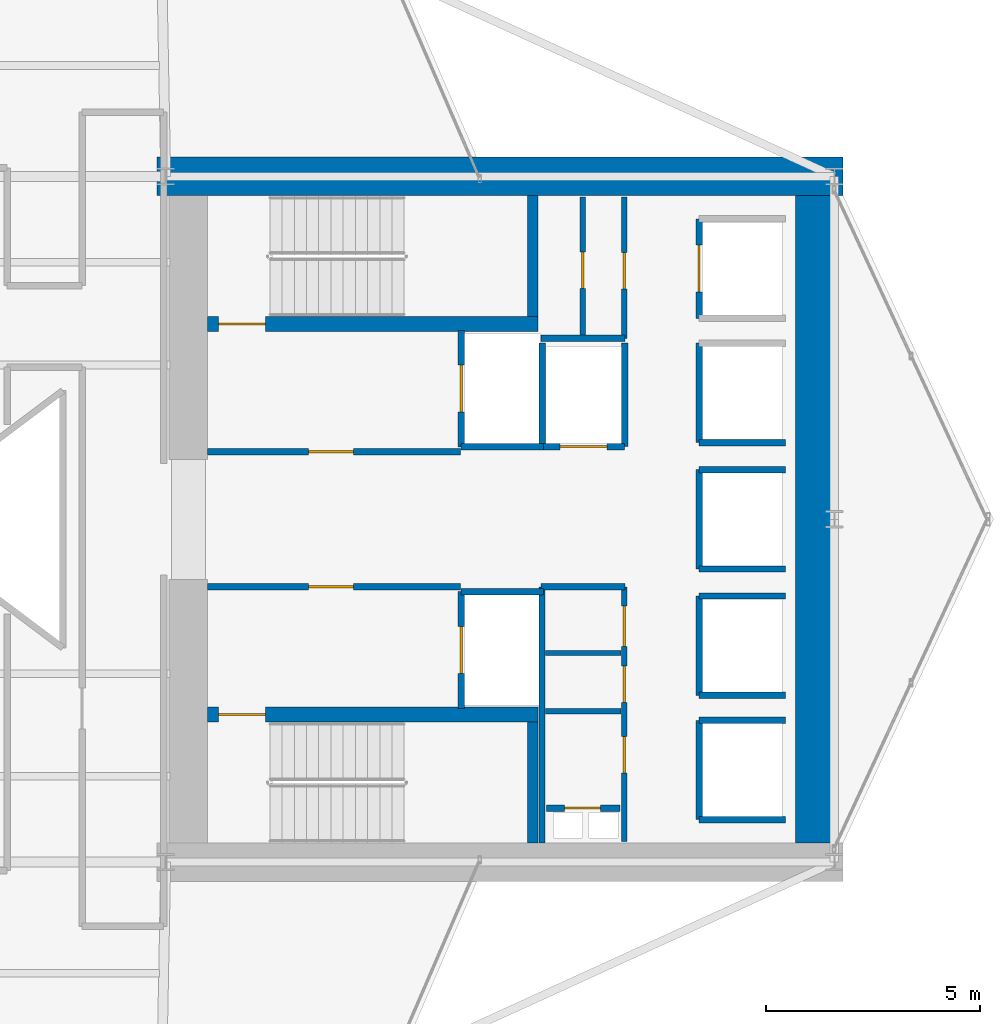
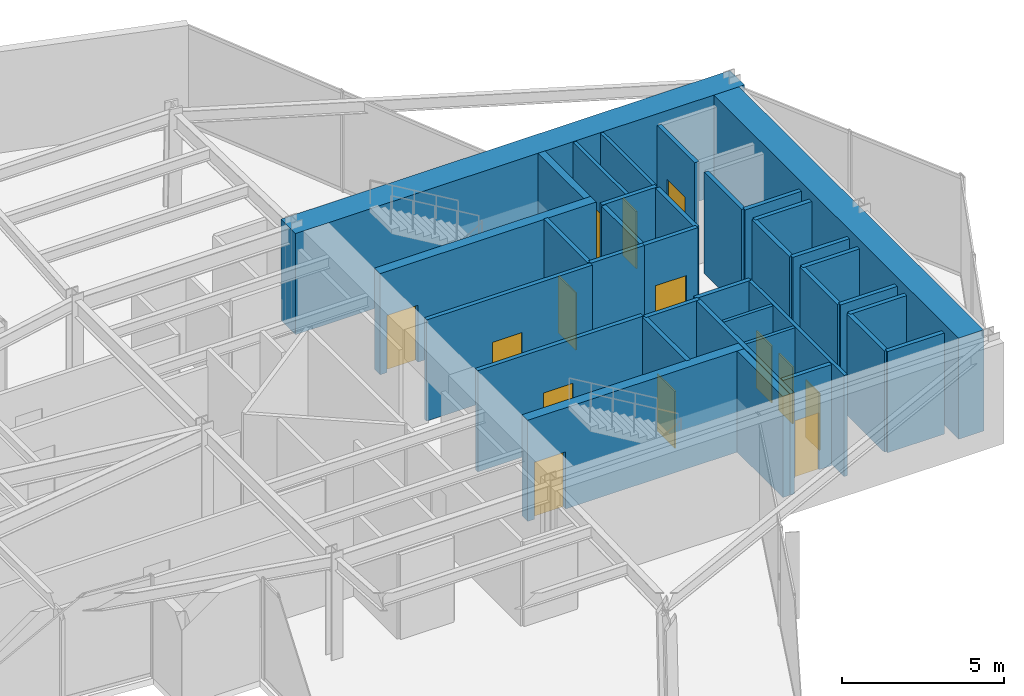
# One storey, part 23 of 26: 36 walls, 14 doors, 14 openings.
"""IFC4 building model written with IfcOpenShell, lengths in metres."""

from ifc_helpers import new_model, si_unit, direction, frame, frame_2d, origin, place, context, subcontext, project, spatial, rectangle, extrude, material, layer, layer_set, type_object, element, fill, save


model = new_model("IFC4")

# Units and contexts
model_context = context("Model", 3, precision=1e-05, world=origin(), true_north=direction((0.0, 1.0)))
body_context = subcontext(model_context, "Body", "Model", "MODEL_VIEW")
ifc_project = project(units=[si_unit("LENGTHUNIT", "METRE"), si_unit("AREAUNIT", "SQUARE_METRE"), si_unit("VOLUMEUNIT", "CUBIC_METRE"), si_unit("PLANEANGLEUNIT", "RADIAN"), si_unit("MASSUNIT", "GRAM", prefix="KILO")], contexts=[model_context])

# Site, building, storey
site_placement = place(None, origin())
site = spatial("IfcSite", under=ifc_project, at=site_placement, CompositionType="ELEMENT")
building_placement = place(site_placement, origin())
building = spatial("IfcBuilding", under=site, at=building_placement, Name="Veymaron Broadcast Tower", CompositionType="ELEMENT")
storey_placement = place(building_placement, frame((0.0, 0.0, 90.449951171875)))
storey = spatial("IfcBuildingStorey", under=building, at=storey_placement, Name="L20", CompositionType="ELEMENT", Elevation=90.449951171875)

# Wall, opening, door
ifc_material_1 = material(Name="Gypsum fireboard and steel stud framing", Category="steel")
ifc_layer_1 = layer(ifc_material_1, 0.14990234375)
ifc_layer_set_1 = layer_set([ifc_layer_1], Name="Gypsum fireboard and steel stud framing")
wall_type_1 = type_object("IfcWallType", Name="WALL-FIRE-150", PredefinedType="PARTITIONING", material=ifc_layer_set_1)
wall_1_placement = place(storey_placement, frame((39.97998046875, 25.574951171875, 0.0), z_axis=(0.0, 0.0, 1.0), x_axis=(1.0, 0.0, 0.0)))
wall_1 = element("IfcWall", 1, at=wall_1_placement, inside=storey, type_object=wall_type_1, Name="L20 partition IW-L20-FFLN-S", PredefinedType="PARTITIONING", context=body_context, shape_type="SweptSolid", body=[
    extrude(rectangle(XDim=5.89990234375, YDim=0.14990234375, at=frame_2d((2.949951171875, 0.0))), origin(), (0.0, 0.0, 1.0), 3.81005859375),
])
opening_1_placement = place(wall_1_placement, frame((2.35009765625, 0.0, 0.0)))
opening_1 = element("IfcOpeningElement", 2, at=opening_1_placement, cuts=wall_1, Name="Opening ID-FL1", PredefinedType="OPENING", context=body_context, shape_type="SweptSolid", body=[
    extrude(rectangle(XDim=1.050048828125, YDim=2.14990234375, at=frame_2d((0.52490234375, 1.074951171875))), frame((0.0, 0.0849609375, 0.0), z_axis=(0.0, -1.0, 0.0), x_axis=(1.0, 0.0, 0.0)), (0.0, 0.0, 1.0), 0.169921875),
])
ifc_material_2 = material(Name="Fire-rated painted hollow steel ASTM A653", Category="steel")
door_type_1 = type_object("IfcDoorType", Name="DOOR-FIRE-1050", OperationType="NOTDEFINED", PredefinedType="DOOR", material=ifc_material_2)
door_1_placement = place(opening_1_placement, origin())
door_1 = element("IfcDoor", 3, at=door_1_placement, inside=storey, type_object=door_type_1, Name="L20 door DR-L20-FFLN", OperationType="SINGLE_SWING_LEFT", OverallHeight=2.14990234375, OverallWidth=1.050048828125, PredefinedType="DOOR", context=body_context, shape_type="SweptSolid", body=[
    extrude(rectangle(XDim=1.050048828125, YDim=2.14990234375, at=frame_2d((0.52490234375, 1.074951171875))), frame((0.0, 0.02490234375, 0.0), z_axis=(0.0, -1.0, 0.0), x_axis=(1.0, 0.0, 0.0)), (0.0, 0.0, 1.0), 0.050048828125),
])
fill(opening_1, door_1)

wall_2_placement = place(storey_placement, frame((39.97998046875, 22.425048828125, 0.0), z_axis=(0.0, 0.0, 1.0), x_axis=(1.0, 0.0, 0.0)))
wall_2 = element("IfcWall", 4, at=wall_2_placement, inside=storey, type_object=wall_type_1, Name="L20 partition IW-L20-FFLS-N", PredefinedType="PARTITIONING", context=body_context, shape_type="SweptSolid", body=[
    extrude(rectangle(XDim=5.89990234375, YDim=0.14990234375, at=frame_2d((2.949951171875, 0.0))), origin(), (0.0, 0.0, 1.0), 3.81005859375),
])
opening_2_placement = place(wall_2_placement, frame((2.35009765625, 0.0, 0.0)))
opening_2 = element("IfcOpeningElement", 5, at=opening_2_placement, cuts=wall_2, Name="Opening ID-FL1", PredefinedType="OPENING", context=body_context, shape_type="SweptSolid", body=[
    extrude(rectangle(XDim=1.050048828125, YDim=2.14990234375, at=frame_2d((0.52490234375, 1.074951171875))), frame((0.0, 0.0849609375, 0.0), z_axis=(0.0, -1.0, 0.0), x_axis=(1.0, 0.0, 0.0)), (0.0, 0.0, 1.0), 0.169921875),
])
door_2_placement = place(opening_2_placement, frame((1.050048828125, 0.0, 0.0), z_axis=(0.0, 0.0, 1.0), x_axis=(-1.0, 0.0, 0.0)))
door_2 = element("IfcDoor", 6, at=door_2_placement, inside=storey, type_object=door_type_1, Name="L20 door DR-L20-FFLS", OperationType="SINGLE_SWING_RIGHT", OverallHeight=2.14990234375, OverallWidth=1.050048828125, PredefinedType="DOOR", context=body_context, shape_type="SweptSolid", body=[
    extrude(rectangle(XDim=1.050048828125, YDim=2.14990234375, at=frame_2d((0.52490234375, 1.074951171875))), frame((0.0, 0.02490234375, 0.0), z_axis=(0.0, -1.0, 0.0), x_axis=(1.0, 0.0, 0.0)), (0.0, 0.0, 1.0), 0.050048828125),
])
fill(opening_2, door_2)

wall_3_placement = place(storey_placement, frame((45.89501953125, 25.68994140625, 0.0), z_axis=(0.0, 0.0, 1.0), x_axis=(0.0, 1.0, 0.0)))
wall_3 = element("IfcWall", 7, at=wall_3_placement, inside=storey, type_object=wall_type_1, Name="L20 partition IW-L20-SHW-FFL-1", PredefinedType="PARTITIONING", context=body_context, shape_type="SweptSolid", body=[
    extrude(rectangle(XDim=2.719970703125, YDim=0.14990234375, at=frame_2d((1.35986328125, 0.0))), origin(), (0.0, 0.0, 1.0), 3.81005859375),
])
opening_3_placement = place(wall_3_placement, frame((0.81005859375, 0.0, 0.0)))
opening_3 = element("IfcOpeningElement", 8, at=opening_3_placement, cuts=wall_3, Name="Opening LD", PredefinedType="OPENING", context=body_context, shape_type="SweptSolid", body=[
    extrude(rectangle(XDim=1.10009765625, YDim=2.14990234375, at=frame_2d((0.550048828125, 1.074951171875))), frame((0.0, 0.0849609375, 0.0), z_axis=(0.0, -1.0, 0.0), x_axis=(1.0, 0.0, 0.0)), (0.0, 0.0, 1.0), 0.169921875),
])
ifc_material_3 = material(Name="Brushed stainless steel AISI 304", Category="steel")
door_type_2 = type_object("IfcDoorType", Name="DOOR-LIFT-1100", OperationType="DOUBLE_DOOR_SLIDING", PredefinedType="DOOR", material=ifc_material_3)
door_3_placement = place(opening_3_placement, frame((1.10009765625, 0.0, 0.0), z_axis=(0.0, 0.0, 1.0), x_axis=(-1.0, 0.0, 0.0)))
door_3 = element("IfcDoor", 9, at=door_3_placement, inside=storey, type_object=door_type_2, Name="L20 door LD-L20-FFL-1", OperationType="DOUBLE_DOOR_SLIDING", OverallHeight=2.14990234375, OverallWidth=1.10009765625, PredefinedType="DOOR", context=body_context, shape_type="SweptSolid", body=[
    extrude(rectangle(XDim=1.10009765625, YDim=2.14990234375, at=frame_2d((0.550048828125, 1.074951171875))), frame((0.0, 0.02490234375, 0.0), z_axis=(0.0, -1.0, 0.0), x_axis=(1.0, 0.0, 0.0)), (0.0, 0.0, 1.0), 0.050048828125),
])
fill(opening_3, door_3)

# Wall
wall_4_placement = place(storey_placement, frame((45.89501953125, 25.68994140625, 0.0), z_axis=(0.0, 0.0, 1.0), x_axis=(1.0, 0.0, 0.0)))
element("IfcWall", 10, at=wall_4_placement, inside=storey, type_object=wall_type_1, Name="L20 partition IW-L20-SHS-FFL-1", PredefinedType="PARTITIONING", context=body_context, shape_type="SweptSolid", body=[
    extrude(rectangle(XDim=1.9150390625, YDim=0.14990234375, at=frame_2d((0.95751953125, 0.0))), origin(), (0.0, 0.0, 1.0), 3.81005859375),
])

# Wall, opening, door
wall_5_placement = place(storey_placement, frame((45.89501953125, 19.590087890625, 0.0), z_axis=(0.0, 0.0, 1.0), x_axis=(0.0, 1.0, 0.0)))
wall_5 = element("IfcWall", 11, at=wall_5_placement, inside=storey, type_object=wall_type_1, Name="L20 partition IW-L20-SHW-FFL-2", PredefinedType="PARTITIONING", context=body_context, shape_type="SweptSolid", body=[
    extrude(rectangle(XDim=2.719970703125, YDim=0.14990234375, at=frame_2d((1.35986328125, 0.0))), origin(), (0.0, 0.0, 1.0), 3.81005859375),
])
opening_4_placement = place(wall_5_placement, frame((0.81005859375, 0.0, 0.0)))
opening_4 = element("IfcOpeningElement", 12, at=opening_4_placement, cuts=wall_5, Name="Opening LD", PredefinedType="OPENING", context=body_context, shape_type="SweptSolid", body=[
    extrude(rectangle(XDim=1.10009765625, YDim=2.14990234375, at=frame_2d((0.550048828125, 1.074951171875))), frame((0.0, 0.0849609375, 0.0), z_axis=(0.0, -1.0, 0.0), x_axis=(1.0, 0.0, 0.0)), (0.0, 0.0, 1.0), 0.169921875),
])
door_4_placement = place(opening_4_placement, frame((1.10009765625, 0.0, 0.0), z_axis=(0.0, 0.0, 1.0), x_axis=(-1.0, 0.0, 0.0)))
door_4 = element("IfcDoor", 13, at=door_4_placement, inside=storey, type_object=door_type_2, Name="L20 door LD-L20-FFL-2", OperationType="DOUBLE_DOOR_SLIDING", OverallHeight=2.14990234375, OverallWidth=1.10009765625, PredefinedType="DOOR", context=body_context, shape_type="SweptSolid", body=[
    extrude(rectangle(XDim=1.10009765625, YDim=2.14990234375, at=frame_2d((0.550048828125, 1.074951171875))), frame((0.0, 0.02490234375, 0.0), z_axis=(0.0, -1.0, 0.0), x_axis=(1.0, 0.0, 0.0)), (0.0, 0.0, 1.0), 0.050048828125),
])
fill(opening_4, door_4)

# Wall
wall_6_placement = place(storey_placement, frame((45.89501953125, 22.31005859375, 0.0), z_axis=(0.0, 0.0, 1.0), x_axis=(1.0, 0.0, 0.0)))
element("IfcWall", 14, at=wall_6_placement, inside=storey, type_object=wall_type_1, Name="L20 partition IW-L20-SHN-FFL-2", PredefinedType="PARTITIONING", context=body_context, shape_type="SweptSolid", body=[
    extrude(rectangle(XDim=1.9150390625, YDim=0.14990234375, at=frame_2d((0.95751953125, 0.0))), origin(), (0.0, 0.0, 1.0), 3.81005859375),
])

# Wall, opening, door
wall_7_placement = place(storey_placement, frame((47.7900390625, 25.695068359375, 0.0), z_axis=(0.0, 0.0, 1.0), x_axis=(1.0, 0.0, 0.0)))
wall_7 = element("IfcWall", 15, at=wall_7_placement, inside=storey, type_object=wall_type_1, Name="L20 partition IW-L20-SHS-SL-1", PredefinedType="PARTITIONING", context=body_context, shape_type="SweptSolid", body=[
    extrude(rectangle(XDim=1.919921875, YDim=0.14990234375, at=frame_2d((0.9599609375, 0.0))), origin(), (0.0, 0.0, 1.0), 3.81005859375),
])
opening_5_placement = place(wall_7_placement, frame((0.409912109375, 0.0, 0.0)))
opening_5 = element("IfcOpeningElement", 16, at=opening_5_placement, cuts=wall_7, Name="Opening LD", PredefinedType="OPENING", context=body_context, shape_type="SweptSolid", body=[
    extrude(rectangle(XDim=1.10009765625, YDim=2.14990234375, at=frame_2d((0.550048828125, 1.074951171875))), frame((0.0, 0.0849609375, 0.0), z_axis=(0.0, -1.0, 0.0), x_axis=(1.0, 0.0, 0.0)), (0.0, 0.0, 1.0), 0.169921875),
])
door_5_placement = place(opening_5_placement, frame((1.10009765625, 0.0, 0.0), z_axis=(0.0, 0.0, 1.0), x_axis=(-1.0, 0.0, 0.0)))
door_5 = element("IfcDoor", 17, at=door_5_placement, inside=storey, type_object=door_type_2, Name="L20 door LD-L20-SL-1", OperationType="DOUBLE_DOOR_SLIDING", OverallHeight=2.14990234375, OverallWidth=1.10009765625, PredefinedType="DOOR", context=body_context, shape_type="SweptSolid", body=[
    extrude(rectangle(XDim=1.10009765625, YDim=2.14990234375, at=frame_2d((0.550048828125, 1.074951171875))), frame((0.0, 0.02490234375, 0.0), z_axis=(0.0, -1.0, 0.0), x_axis=(1.0, 0.0, 0.0)), (0.0, 0.0, 1.0), 0.050048828125),
])
fill(opening_5, door_5)

# Walls
for number, where, z_axis, x_axis, name in (
    (18, (47.7900390625, 25.695068359375, 0.0), (0.0, 0.0, 1.0), (0.0, 1.0, 0.0), "L20 partition IW-L20-SHW-SL-1"),
    (19, (49.7099609375, 25.695068359375, 0.0), (0.0, 0.0, 1.0), (0.0, 1.0, 0.0), "L20 partition IW-L20-SHE-SL-1"),
):
    element("IfcWall", number, at=place(storey_placement, frame(where, z_axis=z_axis, x_axis=x_axis)), inside=storey, type_object=wall_type_1, Name=name, PredefinedType="PARTITIONING", context=body_context, shape_type="SweptSolid", body=[
        extrude(rectangle(XDim=2.4150390625, YDim=0.14990234375, at=frame_2d((1.20751953125, 0.0))), origin(), (0.0, 0.0, 1.0), 3.81005859375),
    ])

# Wall, opening, door
wall_8_placement = place(storey_placement, frame((51.445068359375, 28.68994140625, 0.0), z_axis=(0.0, 0.0, 1.0), x_axis=(0.0, 1.0, 0.0)))
wall_8 = element("IfcWall", 20, at=wall_8_placement, inside=storey, type_object=wall_type_1, Name="L20 partition IW-L20-SHW-PL1", PredefinedType="PARTITIONING", context=body_context, shape_type="SweptSolid", body=[
    extrude(rectangle(XDim=2.320068359375, YDim=0.14990234375, at=frame_2d((1.16015625, 0.0))), origin(), (0.0, 0.0, 1.0), 3.81005859375),
])
opening_6_placement = place(wall_8_placement, frame((0.610107421875, 0.0, 0.0)))
opening_6 = element("IfcOpeningElement", 21, at=opening_6_placement, cuts=wall_8, Name="Opening LD", PredefinedType="OPENING", context=body_context, shape_type="SweptSolid", body=[
    extrude(rectangle(XDim=1.10009765625, YDim=2.14990234375, at=frame_2d((0.550048828125, 1.074951171875))), frame((0.0, 0.0849609375, 0.0), z_axis=(0.0, -1.0, 0.0), x_axis=(1.0, 0.0, 0.0)), (0.0, 0.0, 1.0), 0.169921875),
])
door_6_placement = place(opening_6_placement, frame((1.10009765625, 0.0, 0.0), z_axis=(0.0, 0.0, 1.0), x_axis=(-1.0, 0.0, 0.0)))
door_6 = element("IfcDoor", 22, at=door_6_placement, inside=storey, type_object=door_type_2, Name="L20 door LD-L20-PL1", OperationType="DOUBLE_DOOR_SLIDING", OverallHeight=2.14990234375, OverallWidth=1.10009765625, PredefinedType="DOOR", context=body_context, shape_type="SweptSolid", body=[
    extrude(rectangle(XDim=1.10009765625, YDim=2.14990234375, at=frame_2d((0.550048828125, 1.074951171875))), frame((0.0, 0.02490234375, 0.0), z_axis=(0.0, -1.0, 0.0), x_axis=(1.0, 0.0, 0.0)), (0.0, 0.0, 1.0), 0.050048828125),
])
fill(opening_6, door_6)

# Walls
wall_9_placement = place(storey_placement, frame((51.445068359375, 25.7900390625, 0.0), z_axis=(0.0, 0.0, 1.0), x_axis=(0.0, 1.0, 0.0)))
element("IfcWall", 23, at=wall_9_placement, inside=storey, type_object=wall_type_1, Name="L20 partition IW-L20-SHW-PM1", PredefinedType="PARTITIONING", context=body_context, shape_type="SweptSolid", body=[
    extrude(rectangle(XDim=2.320068359375, YDim=0.14990234375, at=frame_2d((1.16015625, 0.0))), origin(), (0.0, 0.0, 1.0), 3.81005859375),
])
wall_10_placement = place(storey_placement, frame((51.445068359375, 25.7900390625, 0.0), z_axis=(0.0, 0.0, 1.0), x_axis=(1.0, 0.0, 0.0)))
element("IfcWall", 24, at=wall_10_placement, inside=storey, type_object=wall_type_1, Name="L20 partition IW-L20-SHS-PM1", PredefinedType="PARTITIONING", context=body_context, shape_type="SweptSolid", body=[
    extrude(rectangle(XDim=2.014892578125, YDim=0.14990234375, at=frame_2d((1.00732421875, 0.0))), origin(), (0.0, 0.0, 1.0), 3.81005859375),
])
wall_11_placement = place(storey_placement, frame((51.445068359375, 19.889892578125, 0.0), z_axis=(0.0, 0.0, 1.0), x_axis=(0.0, 1.0, 0.0)))
element("IfcWall", 25, at=wall_11_placement, inside=storey, type_object=wall_type_1, Name="L20 partition IW-L20-SHW-PM2", PredefinedType="PARTITIONING", context=body_context, shape_type="SweptSolid", body=[
    extrude(rectangle(XDim=2.320068359375, YDim=0.14990234375, at=frame_2d((1.16015625, 0.0))), origin(), (0.0, 0.0, 1.0), 3.81005859375),
])
for number, where, z_axis, x_axis, name in (
    (26, (51.445068359375, 19.889892578125, 0.0), (0.0, 0.0, 1.0), (1.0, 0.0, 0.0), "L20 partition IW-L20-SHS-PM2"),
    (27, (51.445068359375, 22.2099609375, 0.0), (0.0, 0.0, 1.0), (1.0, 0.0, 0.0), "L20 partition IW-L20-SHN-PM2"),
):
    element("IfcWall", number, at=place(storey_placement, frame(where, z_axis=z_axis, x_axis=x_axis)), inside=storey, type_object=wall_type_1, Name=name, PredefinedType="PARTITIONING", context=body_context, shape_type="SweptSolid", body=[
        extrude(rectangle(XDim=2.014892578125, YDim=0.14990234375, at=frame_2d((1.00732421875, 0.0))), origin(), (0.0, 0.0, 1.0), 3.81005859375),
    ])
wall_12_placement = place(storey_placement, frame((51.445068359375, 22.840087890625, 0.0), z_axis=(0.0, 0.0, 1.0), x_axis=(0.0, 1.0, 0.0)))
element("IfcWall", 28, at=wall_12_placement, inside=storey, type_object=wall_type_1, Name="L20 partition IW-L20-SHW-PM3", PredefinedType="PARTITIONING", context=body_context, shape_type="SweptSolid", body=[
    extrude(rectangle(XDim=2.31982421875, YDim=0.14990234375, at=frame_2d((1.159912109375, 0.0))), origin(), (0.0, 0.0, 1.0), 3.81005859375),
])
for number, where, z_axis, x_axis, name in (
    (29, (51.445068359375, 22.840087890625, 0.0), (0.0, 0.0, 1.0), (1.0, 0.0, 0.0), "L20 partition IW-L20-SHS-PM3"),
    (30, (51.445068359375, 25.159912109375, 0.0), (0.0, 0.0, 1.0), (1.0, 0.0, 0.0), "L20 partition IW-L20-SHN-PM3"),
):
    element("IfcWall", number, at=place(storey_placement, frame(where, z_axis=z_axis, x_axis=x_axis)), inside=storey, type_object=wall_type_1, Name=name, PredefinedType="PARTITIONING", context=body_context, shape_type="SweptSolid", body=[
        extrude(rectangle(XDim=2.014892578125, YDim=0.14990234375, at=frame_2d((1.00732421875, 0.0))), origin(), (0.0, 0.0, 1.0), 3.81005859375),
    ])
wall_13_placement = place(storey_placement, frame((51.445068359375, 16.989990234375, 0.0), z_axis=(0.0, 0.0, 1.0), x_axis=(0.0, 1.0, 0.0)))
element("IfcWall", 31, at=wall_13_placement, inside=storey, type_object=wall_type_1, Name="L20 partition IW-L20-SHW-PH1", PredefinedType="PARTITIONING", context=body_context, shape_type="SweptSolid", body=[
    extrude(rectangle(XDim=2.320068359375, YDim=0.14990234375, at=frame_2d((1.16015625, 0.0))), origin(), (0.0, 0.0, 1.0), 3.81005859375),
])
for number, where, z_axis, x_axis, name in (
    (32, (51.445068359375, 16.989990234375, 0.0), (0.0, 0.0, 1.0), (1.0, 0.0, 0.0), "L20 partition IW-L20-SHS-PH1"),
    (33, (51.445068359375, 19.31005859375, 0.0), (0.0, 0.0, 1.0), (1.0, 0.0, 0.0), "L20 partition IW-L20-SHN-PH1"),
):
    element("IfcWall", number, at=place(storey_placement, frame(where, z_axis=z_axis, x_axis=x_axis)), inside=storey, type_object=wall_type_1, Name=name, PredefinedType="PARTITIONING", context=body_context, shape_type="SweptSolid", body=[
        extrude(rectangle(XDim=2.014892578125, YDim=0.14990234375, at=frame_2d((1.00732421875, 0.0))), origin(), (0.0, 0.0, 1.0), 3.81005859375),
    ])

# Wall, opening, door
wall_14_placement = place(storey_placement, frame((47.8798828125, 17.260009765625, 0.0), z_axis=(0.0, 0.0, 1.0), x_axis=(1.0, 0.0, 0.0)))
wall_14 = element("IfcWall", 34, at=wall_14_placement, inside=storey, type_object=wall_type_1, Name="L20 partition IW-L20-RIS-N", PredefinedType="PARTITIONING", context=body_context, shape_type="SweptSolid", body=[
    extrude(rectangle(XDim=1.72021484375, YDim=0.14990234375, at=frame_2d((0.860107421875, 0.0))), origin(), (0.0, 0.0, 1.0), 3.81005859375),
])
opening_7_placement = place(wall_14_placement, frame((0.419921875, 0.0, 0.0)))
opening_7 = element("IfcOpeningElement", 35, at=opening_7_placement, cuts=wall_14, Name="Opening ID-RS1", PredefinedType="OPENING", context=body_context, shape_type="SweptSolid", body=[
    extrude(rectangle(XDim=0.85009765625, YDim=2.14990234375, at=frame_2d((0.425048828125, 1.074951171875))), frame((0.0, 0.0849609375, 0.0), z_axis=(0.0, -1.0, 0.0), x_axis=(1.0, 0.0, 0.0)), (0.0, 0.0, 1.0), 0.169921875),
])
ifc_material_4 = material(Name="Fire-rated powder-coated steel riser leaf", Category="steel")
door_type_3 = type_object("IfcDoorType", Name="DOOR-RIS-850", OperationType="NOTDEFINED", PredefinedType="TRAPDOOR", material=ifc_material_4)
door_7_placement = place(opening_7_placement, origin())
door_7 = element("IfcDoor", 36, at=door_7_placement, inside=storey, type_object=door_type_3, Name="L20 door DR-L20-RIS", OperationType="SINGLE_SWING_LEFT", OverallHeight=2.14990234375, OverallWidth=0.85009765625, PredefinedType="TRAPDOOR", context=body_context, shape_type="SweptSolid", body=[
    extrude(rectangle(XDim=0.85009765625, YDim=2.14990234375, at=frame_2d((0.425048828125, 1.074951171875))), frame((0.0, 0.02490234375, 0.0), z_axis=(0.0, -1.0, 0.0), x_axis=(1.0, 0.0, 0.0)), (0.0, 0.0, 1.0), 0.050048828125),
])
fill(opening_7, door_7)

# Walls
wall_15_placement = place(storey_placement, frame((47.760009765625, 22.425048828125, 0.0), z_axis=(0.0, 0.0, 1.0), x_axis=(1.0, 0.0, 0.0)))
element("IfcWall", 37, at=wall_15_placement, inside=storey, type_object=wall_type_1, Name="L20 partition IW-L20-SM-N", PredefinedType="PARTITIONING", context=body_context, shape_type="SweptSolid", body=[
    extrude(rectangle(XDim=1.9599609375, YDim=0.14990234375, at=frame_2d((0.97998046875, 0.0))), origin(), (0.0, 0.0, 1.0), 3.81005859375),
])
wall_16_placement = place(storey_placement, frame((47.780029296875, 16.449951171875, 0.0), z_axis=(0.0, 0.0, 1.0), x_axis=(0.0, 1.0, 0.0)))
element("IfcWall", 38, at=wall_16_placement, inside=storey, type_object=wall_type_1, Name="L20 partition IW-L20-SM-W", PredefinedType="PARTITIONING", context=body_context, shape_type="SweptSolid", body=[
    extrude(rectangle(XDim=5.97509765625, YDim=0.14990234375, at=frame_2d((2.987548828125, 0.0))), origin(), (0.0, 0.0, 1.0), 3.81005859375),
])
wall_17_placement = place(storey_placement, frame((47.760009765625, 28.219970703125, 0.0), z_axis=(0.0, 0.0, 1.0), x_axis=(1.0, 0.0, 0.0)))
element("IfcWall", 39, at=wall_17_placement, inside=storey, type_object=wall_type_1, Name="L20 partition IW-L20-NM-S", PredefinedType="PARTITIONING", context=body_context, shape_type="SweptSolid", body=[
    extrude(rectangle(XDim=1.9599609375, YDim=0.14990234375, at=frame_2d((0.97998046875, 0.0))), origin(), (0.0, 0.0, 1.0), 3.81005859375),
])
ifc_material_5 = material(Name="Acoustic gypsum board and galvanized stud", Category="gypsum")
ifc_layer_2 = layer(ifc_material_5, 0.1201171875)
ifc_layer_set_2 = layer_set([ifc_layer_2], Name="Acoustic gypsum board and galvanized stud")
wall_type_2 = type_object("IfcWallType", Name="WALL-PART-120", PredefinedType="PARTITIONING", material=ifc_layer_set_2)
for number, where, z_axis, x_axis, name in (
    (40, (47.860107421875, 19.52001953125, 0.0), (0.0, 0.0, 1.0), (1.0, 0.0, 0.0), "L20 partition IW-L20-SM-D1"),
    (41, (47.860107421875, 20.8798828125, 0.0), (0.0, 0.0, 1.0), (1.0, 0.0, 0.0), "L20 partition IW-L20-SM-D2"),
):
    element("IfcWall", number, at=place(storey_placement, frame(where, z_axis=z_axis, x_axis=x_axis)), inside=storey, type_object=wall_type_2, Name=name, PredefinedType="PARTITIONING", context=body_context, shape_type="SweptSolid", body=[
        extrude(rectangle(XDim=1.760009765625, YDim=0.1201171875, at=frame_2d((0.8798828125, 0.0))), origin(), (0.0, 0.0, 1.0), 3.81005859375),
    ])

# Wall, openings, doors
wall_18_placement = place(storey_placement, frame((49.699951171875, 16.47998046875, 0.0), z_axis=(0.0, 0.0, 1.0), x_axis=(0.0, 1.0, 0.0)))
wall_18 = element("IfcWall", 42, at=wall_18_placement, inside=storey, type_object=wall_type_2, Name="L20 partition IW-L20-SM-E", PredefinedType="PARTITIONING", context=body_context, shape_type="SweptSolid", body=[
    extrude(rectangle(XDim=5.945068359375, YDim=0.1201171875, at=frame_2d((2.97265625, 0.0))), origin(), (0.0, 0.0, 1.0), 3.81005859375),
])
opening_8_placement = place(wall_18_placement, frame((1.60009765625, 0.0, 0.0)))
opening_8 = element("IfcOpeningElement", 43, at=opening_8_placement, cuts=wall_18, Name="Opening ID-WC1", PredefinedType="OPENING", context=body_context, shape_type="SweptSolid", body=[
    extrude(rectangle(XDim=0.85009765625, YDim=2.14990234375, at=frame_2d((0.425048828125, 1.074951171875))), frame((0.0, 0.070068359375, 0.0), z_axis=(0.0, -1.0, 0.0), x_axis=(1.0, 0.0, 0.0)), (0.0, 0.0, 1.0), 0.14013671875),
])
opening_9_placement = place(wall_18_placement, frame((3.25, 0.0, 0.0)))
opening_9 = element("IfcOpeningElement", 44, at=opening_9_placement, cuts=wall_18, Name="Opening ID-WC1", PredefinedType="OPENING", context=body_context, shape_type="SweptSolid", body=[
    extrude(rectangle(XDim=0.85009765625, YDim=2.14990234375, at=frame_2d((0.425048828125, 1.074951171875))), frame((0.0, 0.070068359375, 0.0), z_axis=(0.0, -1.0, 0.0), x_axis=(1.0, 0.0, 0.0)), (0.0, 0.0, 1.0), 0.14013671875),
])
opening_10_placement = place(wall_18_placement, frame((4.550048828125, 0.0, 0.0)))
opening_10 = element("IfcOpeningElement", 45, at=opening_10_placement, cuts=wall_18, Name="Opening ID-RM1", PredefinedType="OPENING", context=body_context, shape_type="SweptSolid", body=[
    extrude(rectangle(XDim=0.949951171875, YDim=2.14990234375, at=frame_2d((0.47509765625, 1.074951171875))), frame((0.0, 0.070068359375, 0.0), z_axis=(0.0, -1.0, 0.0), x_axis=(1.0, 0.0, 0.0)), (0.0, 0.0, 1.0), 0.14013671875),
])
ifc_material_6 = material(Name="Moisture-resistant high-pressure laminate timber", Category="wood")
door_type_4 = type_object("IfcDoorType", Name="DOOR-INT-850", OperationType="NOTDEFINED", PredefinedType="DOOR", material=ifc_material_6)
door_8_placement = place(opening_8_placement, frame((0.85009765625, 0.0, 0.0), z_axis=(0.0, 0.0, 1.0), x_axis=(-1.0, 0.0, 0.0)))
door_8 = element("IfcDoor", 46, at=door_8_placement, inside=storey, type_object=door_type_4, Name="L20 door DR-L20-JST", OperationType="SINGLE_SWING_LEFT", OverallHeight=2.14990234375, OverallWidth=0.85009765625, PredefinedType="DOOR", context=body_context, shape_type="SweptSolid", body=[
    extrude(rectangle(XDim=0.85009765625, YDim=2.14990234375, at=frame_2d((0.425048828125, 1.074951171875))), frame((0.0, 0.02490234375, 0.0), z_axis=(0.0, -1.0, 0.0), x_axis=(1.0, 0.0, 0.0)), (0.0, 0.0, 1.0), 0.050048828125),
])
fill(opening_8, door_8)
door_9_placement = place(opening_9_placement, frame((0.85009765625, 0.0, 0.0), z_axis=(0.0, 0.0, 1.0), x_axis=(-1.0, 0.0, 0.0)))
door_9 = element("IfcDoor", 47, at=door_9_placement, inside=storey, type_object=door_type_4, Name="L20 door DR-L20-SWC", OperationType="SINGLE_SWING_RIGHT", OverallHeight=2.14990234375, OverallWidth=0.85009765625, PredefinedType="DOOR", context=body_context, shape_type="SweptSolid", body=[
    extrude(rectangle(XDim=0.85009765625, YDim=2.14990234375, at=frame_2d((0.425048828125, 1.074951171875))), frame((0.0, 0.02490234375, 0.0), z_axis=(0.0, -1.0, 0.0), x_axis=(1.0, 0.0, 0.0)), (0.0, 0.0, 1.0), 0.050048828125),
])
fill(opening_9, door_9)
ifc_material_7 = material(Name="Acoustic solid-core European oak veneer timber", Category="wood")
door_type_5 = type_object("IfcDoorType", Name="DOOR-INT-950", OperationType="NOTDEFINED", PredefinedType="DOOR", material=ifc_material_7)
door_10_placement = place(opening_10_placement, frame((0.949951171875, 0.0, 0.0), z_axis=(0.0, 0.0, 1.0), x_axis=(-1.0, 0.0, 0.0)))
door_10 = element("IfcDoor", 48, at=door_10_placement, inside=storey, type_object=door_type_5, Name="L20 door DR-L20-AWC", OperationType="SINGLE_SWING_LEFT", OverallHeight=2.14990234375, OverallWidth=0.949951171875, PredefinedType="DOOR", context=body_context, shape_type="SweptSolid", body=[
    extrude(rectangle(XDim=0.949951171875, YDim=2.14990234375, at=frame_2d((0.47509765625, 1.074951171875))), frame((0.0, 0.02490234375, 0.0), z_axis=(0.0, -1.0, 0.0), x_axis=(1.0, 0.0, 0.0)), (0.0, 0.0, 1.0), 0.050048828125),
])
fill(opening_10, door_10)

# Wall, opening, door
wall_19_placement = place(storey_placement, frame((48.72998046875, 28.239990234375, 0.0), z_axis=(0.0, 0.0, 1.0), x_axis=(0.0, 1.0, 0.0)))
wall_19 = element("IfcWall", 49, at=wall_19_placement, inside=storey, type_object=wall_type_2, Name="L20 partition IW-L20-NM-VX", PredefinedType="PARTITIONING", context=body_context, shape_type="SweptSolid", body=[
    extrude(rectangle(XDim=3.280029296875, YDim=0.1201171875, at=frame_2d((1.64013671875, 0.0))), origin(), (0.0, 0.0, 1.0), 3.81005859375),
])
opening_11_placement = place(wall_19_placement, frame((1.14990234375, 0.0, 0.0)))
opening_11 = element("IfcOpeningElement", 50, at=opening_11_placement, cuts=wall_19, Name="Opening ID-WC1", PredefinedType="OPENING", context=body_context, shape_type="SweptSolid", body=[
    extrude(rectangle(XDim=0.85009765625, YDim=2.14990234375, at=frame_2d((0.425048828125, 1.074951171875))), frame((0.0, 0.070068359375, 0.0), z_axis=(0.0, -1.0, 0.0), x_axis=(1.0, 0.0, 0.0)), (0.0, 0.0, 1.0), 0.14013671875),
])
door_11_placement = place(opening_11_placement, frame((0.85009765625, 0.0, 0.0), z_axis=(0.0, 0.0, 1.0), x_axis=(-1.0, 0.0, 0.0)))
door_11 = element("IfcDoor", 51, at=door_11_placement, inside=storey, type_object=door_type_4, Name="L20 door DR-L20-NMB", OperationType="SINGLE_SWING_LEFT", OverallHeight=2.14990234375, OverallWidth=0.85009765625, PredefinedType="DOOR", context=body_context, shape_type="SweptSolid", body=[
    extrude(rectangle(XDim=0.85009765625, YDim=2.14990234375, at=frame_2d((0.425048828125, 1.074951171875))), frame((0.0, 0.02490234375, 0.0), z_axis=(0.0, -1.0, 0.0), x_axis=(1.0, 0.0, 0.0)), (0.0, 0.0, 1.0), 0.050048828125),
])
fill(opening_11, door_11)

wall_20_placement = place(storey_placement, frame((49.699951171875, 28.219970703125, 0.0), z_axis=(0.0, 0.0, 1.0), x_axis=(0.0, 1.0, 0.0)))
wall_20 = element("IfcWall", 52, at=wall_20_placement, inside=storey, type_object=wall_type_2, Name="L20 partition IW-L20-NM-E", PredefinedType="PARTITIONING", context=body_context, shape_type="SweptSolid", body=[
    extrude(rectangle(XDim=3.300048828125, YDim=0.1201171875, at=frame_2d((1.64990234375, 0.0))), origin(), (0.0, 0.0, 1.0), 3.81005859375),
])
opening_12_placement = place(wall_20_placement, frame((1.14990234375, 0.0, 0.0)))
opening_12 = element("IfcOpeningElement", 53, at=opening_12_placement, cuts=wall_20, Name="Opening ID-WC1", PredefinedType="OPENING", context=body_context, shape_type="SweptSolid", body=[
    extrude(rectangle(XDim=0.85009765625, YDim=2.14990234375, at=frame_2d((0.425048828125, 1.074951171875))), frame((0.0, 0.070068359375, 0.0), z_axis=(0.0, -1.0, 0.0), x_axis=(1.0, 0.0, 0.0)), (0.0, 0.0, 1.0), 0.14013671875),
])
door_12_placement = place(opening_12_placement, frame((0.85009765625, 0.0, 0.0), z_axis=(0.0, 0.0, 1.0), x_axis=(-1.0, 0.0, 0.0)))
door_12 = element("IfcDoor", 54, at=door_12_placement, inside=storey, type_object=door_type_4, Name="L20 door DR-L20-NMA", OperationType="SINGLE_SWING_RIGHT", OverallHeight=2.14990234375, OverallWidth=0.85009765625, PredefinedType="DOOR", context=body_context, shape_type="SweptSolid", body=[
    extrude(rectangle(XDim=0.85009765625, YDim=2.14990234375, at=frame_2d((0.425048828125, 1.074951171875))), frame((0.0, 0.02490234375, 0.0), z_axis=(0.0, -1.0, 0.0), x_axis=(1.0, 0.0, 0.0)), (0.0, 0.0, 1.0), 0.050048828125),
])
fill(opening_12, door_12)

# Walls
ifc_material_8 = material(Name="Concrete C50/60", Category="concrete")
ifc_layer_3 = layer(ifc_material_8, 0.25)
ifc_layer_set_3 = layer_set([ifc_layer_3], Name="Concrete C50/60")
wall_type_3 = type_object("IfcWallType", Name="WALL-SHEAR-250", PredefinedType="SHEAR", material=ifc_layer_set_3)
for number, where, z_axis, x_axis, name in (
    (55, (47.56494140625, 28.72998046875, 0.0), (0.0, 0.0, 1.0), (0.0, 1.0, 0.0), "L20 Core Wall north stair east shear"),
    (56, (47.56494140625, 16.449951171875, 0.0), (0.0, 0.0, 1.0), (0.0, 1.0, 0.0), "L20 Core Wall south stair east shear"),
):
    element("IfcWall", number, at=place(storey_placement, frame(where, z_axis=z_axis, x_axis=x_axis)), inside=storey, type_object=wall_type_3, Name=name, PredefinedType="SHEAR", context=body_context, shape_type="SweptSolid", body=[
        extrude(rectangle(XDim=2.820068359375, YDim=0.25, at=frame_2d((1.41015625, 0.0))), origin(), (0.0, 0.0, 1.0), 3.81005859375),
    ])

# Wall, opening, door
ifc_layer_4 = layer(ifc_material_8, 0.35009765625)
ifc_layer_set_4 = layer_set([ifc_layer_4], Name="Concrete C50/60")
wall_type_4 = type_object("IfcWallType", Name="WALL-SHEAR-350", PredefinedType="SHEAR", material=ifc_layer_set_4)
wall_21_placement = place(storey_placement, frame((39.97998046875, 28.554931640625, 0.0), z_axis=(0.0, 0.0, 1.0), x_axis=(1.0, 0.0, 0.0)))
wall_21 = element("IfcWall", 57, at=wall_21_placement, inside=storey, type_object=wall_type_4, Name="L20 Core Wall north stair spine", PredefinedType="SHEAR", context=body_context, shape_type="SweptSolid", body=[
    extrude(rectangle(XDim=7.7099609375, YDim=0.35009765625, at=frame_2d((3.85498046875, 0.0))), origin(), (0.0, 0.0, 1.0), 3.81005859375),
])
opening_13_placement = place(wall_21_placement, frame((0.25, 0.0, 0.0)))
opening_13 = element("IfcOpeningElement", 58, at=opening_13_placement, cuts=wall_21, Name="Opening ID-ST1", PredefinedType="OPENING", context=body_context, shape_type="SweptSolid", body=[
    extrude(rectangle(XDim=1.10009765625, YDim=2.14990234375, at=frame_2d((0.550048828125, 1.074951171875))), frame((0.0, 0.18505859375, 0.0), z_axis=(0.0, -1.0, 0.0), x_axis=(1.0, 0.0, 0.0)), (0.0, 0.0, 1.0), 0.3701171875),
])
door_type_6 = type_object("IfcDoorType", Name="DOOR-STAIR-1100", OperationType="NOTDEFINED", PredefinedType="DOOR", material=ifc_material_2)
door_13_placement = place(opening_13_placement, origin())
door_13 = element("IfcDoor", 59, at=door_13_placement, inside=storey, type_object=door_type_6, Name="L20 exit stair ST1 fire door", OperationType="SINGLE_SWING_LEFT", OverallHeight=2.14990234375, OverallWidth=1.10009765625, PredefinedType="DOOR", context=body_context, shape_type="SweptSolid", body=[
    extrude(rectangle(XDim=1.10009765625, YDim=2.14990234375, at=frame_2d((0.550048828125, 1.074951171875))), frame((0.0, 0.02490234375, 0.0), z_axis=(0.0, -1.0, 0.0), x_axis=(1.0, 0.0, 0.0)), (0.0, 0.0, 1.0), 0.050048828125),
])
fill(opening_13, door_13)

wall_22_placement = place(storey_placement, frame((39.97998046875, 19.445068359375, 0.0), z_axis=(0.0, 0.0, 1.0), x_axis=(1.0, 0.0, 0.0)))
wall_22 = element("IfcWall", 60, at=wall_22_placement, inside=storey, type_object=wall_type_4, Name="L20 Core Wall south stair spine", PredefinedType="SHEAR", context=body_context, shape_type="SweptSolid", body=[
    extrude(rectangle(XDim=7.7099609375, YDim=0.35009765625, at=frame_2d((3.85498046875, 0.0))), origin(), (0.0, 0.0, 1.0), 3.81005859375),
])
opening_14_placement = place(wall_22_placement, frame((0.25, 0.0, 0.0)))
opening_14 = element("IfcOpeningElement", 61, at=opening_14_placement, cuts=wall_22, Name="Opening ID-ST1", PredefinedType="OPENING", context=body_context, shape_type="SweptSolid", body=[
    extrude(rectangle(XDim=1.10009765625, YDim=2.14990234375, at=frame_2d((0.550048828125, 1.074951171875))), frame((0.0, 0.18505859375, 0.0), z_axis=(0.0, -1.0, 0.0), x_axis=(1.0, 0.0, 0.0)), (0.0, 0.0, 1.0), 0.3701171875),
])
door_14_placement = place(opening_14_placement, frame((1.10009765625, 0.0, 0.0), z_axis=(0.0, 0.0, 1.0), x_axis=(-1.0, 0.0, 0.0)))
door_14 = element("IfcDoor", 62, at=door_14_placement, inside=storey, type_object=door_type_6, Name="L20 exit stair ST2 fire door", OperationType="SINGLE_SWING_RIGHT", OverallHeight=2.14990234375, OverallWidth=1.10009765625, PredefinedType="DOOR", context=body_context, shape_type="SweptSolid", body=[
    extrude(rectangle(XDim=1.10009765625, YDim=2.14990234375, at=frame_2d((0.550048828125, 1.074951171875))), frame((0.0, 0.02490234375, 0.0), z_axis=(0.0, -1.0, 0.0), x_axis=(1.0, 0.0, 0.0)), (0.0, 0.0, 1.0), 0.050048828125),
])
fill(opening_14, door_14)

# Walls
ifc_material_9 = material(Name="Concrete C70/85", Category="concrete")
ifc_layer_5 = layer(ifc_material_9, 0.89990234375)
ifc_layer_set_5 = layer_set([ifc_layer_5], Name="Concrete C70/85")
wall_type_5 = type_object("IfcWallType", Name="WALL-SHEAR-900", PredefinedType="SHEAR", material=ifc_layer_set_5)
wall_23_placement = place(storey_placement, frame((38.800048828125, 32.0, 0.0), z_axis=(0.0, 0.0, 1.0), x_axis=(1.0, 0.0, 0.0)))
element("IfcWall", 63, at=wall_23_placement, inside=storey, type_object=wall_type_5, Name="L20 Core Wall north shear", PredefinedType="SHEAR", context=body_context, shape_type="SweptSolid", body=[
    extrude(rectangle(XDim=16.0, YDim=0.89990234375, at=frame_2d((8.0, 0.0))), origin(), (0.0, 0.0, 1.0), 3.81005859375),
])
wall_24_placement = place(storey_placement, frame((54.14990234375, 16.449951171875, 0.0), z_axis=(0.0, 0.0, 1.0), x_axis=(0.0, 1.0, 0.0)))
element("IfcWall", 64, at=wall_24_placement, inside=storey, type_object=wall_type_5, Name="L20 Core Wall east shear", PredefinedType="SHEAR", context=body_context, shape_type="SweptSolid", body=[
    extrude(rectangle(XDim=15.10009765625, YDim=0.89990234375, at=frame_2d((7.550048828125, 0.0))), origin(), (0.0, 0.0, 1.0), 3.81005859375),
])

save(model, "model.ifc")
